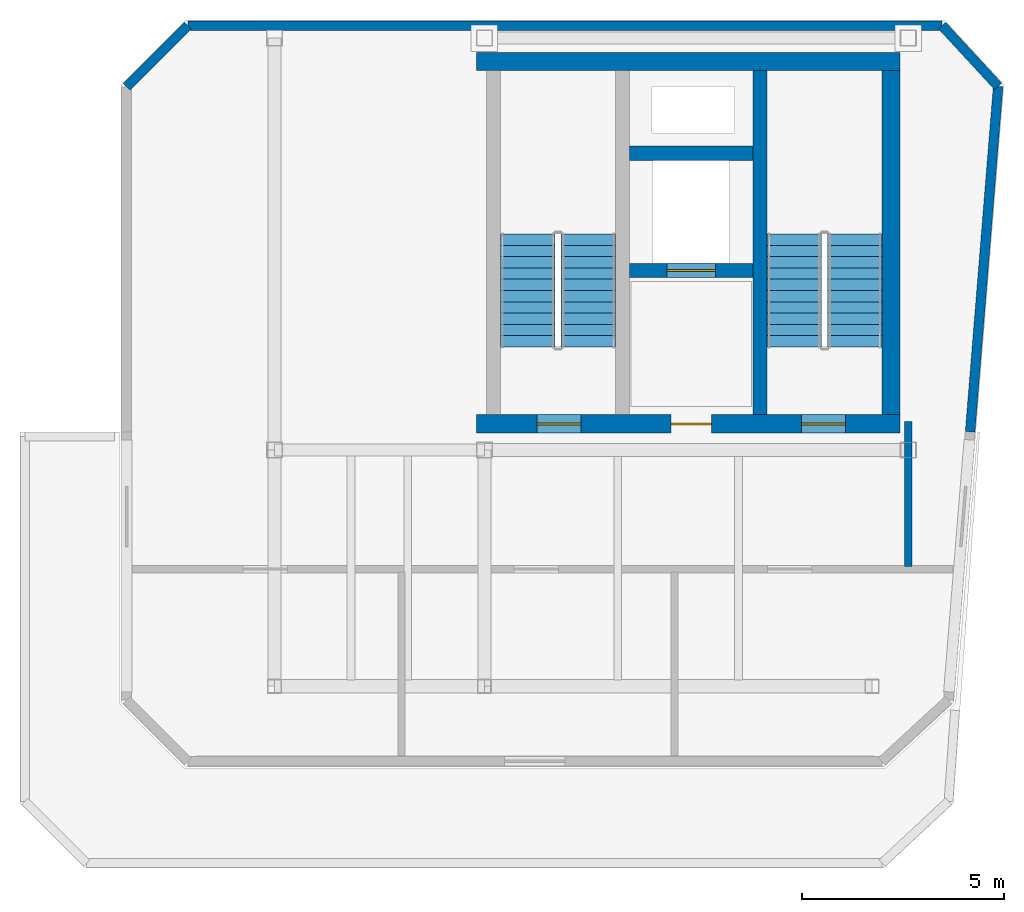
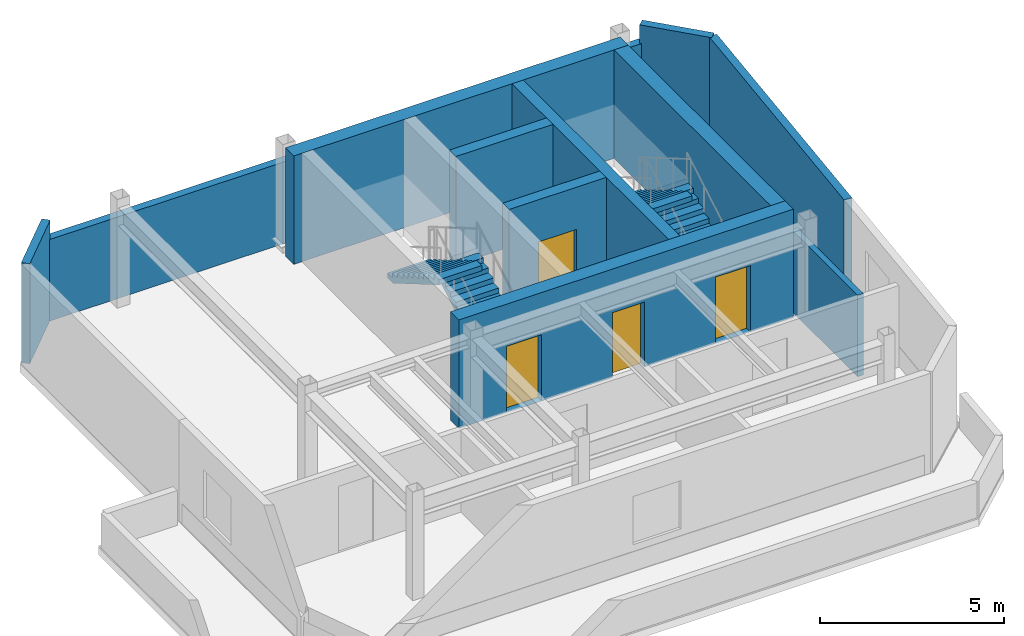
# One storey, part 2 of 3: 11 walls, 4 doors, 4 stair flights, 4 openings, 2 elements without a shape of their own.
"""IFC4 building model written with IfcOpenShell, lengths in metres."""

from ifc_helpers import new_model, si_unit, direction, frame, frame_2d, origin, place, context, subcontext, project, spatial, polyline, rectangle, outline, extrude, material, layer, layer_set, type_object, element, fill, aggregate, save


model = new_model("IFC4")

# Units and contexts
model_context = context("Model", 3, precision=1e-05, world=origin(), true_north=direction((0.0, 1.0)))
body_context = subcontext(model_context, "Body", "Model", "MODEL_VIEW")
ifc_project = project(units=[si_unit("LENGTHUNIT", "METRE"), si_unit("AREAUNIT", "SQUARE_METRE"), si_unit("VOLUMEUNIT", "CUBIC_METRE"), si_unit("PLANEANGLEUNIT", "RADIAN"), si_unit("MASSUNIT", "GRAM", prefix="KILO")], contexts=[model_context])

# Site, building, storey
site_placement = place(None, origin())
site = spatial("IfcSite", under=ifc_project, at=site_placement, CompositionType="ELEMENT")
building_placement = place(site_placement, origin())
building = spatial("IfcBuilding", under=site, at=building_placement, Name="Kravanh Interchange Tower", CompositionType="ELEMENT")
storey_placement = place(building_placement, frame((0.0, 0.0, 322.800048828125)))
storey = spatial("IfcBuildingStorey", under=building, at=storey_placement, Name="L80", CompositionType="ELEMENT", Elevation=322.800048828125)

# Wall
ifc_material_1 = material(Name="Concrete C60/75", Category="concrete")
ifc_layer_1 = layer(ifc_material_1, 0.35009765625)
ifc_layer_set_1 = layer_set([ifc_layer_1], Name="Core Shear Wall Concrete C60/75 350mm")
wall_type_1 = type_object("IfcWallType", Name="Core Shear Wall Concrete C60/75 350mm", PredefinedType="SHEAR", material=ifc_layer_set_1)
wall_1_placement = place(storey_placement, frame((62.824951171875, 38.22509765625, 0.0), z_axis=(0.0, 0.0, 1.0), x_axis=(0.0, 1.0, 0.0)))
element("IfcWall", 1, at=wall_1_placement, inside=storey, type_object=wall_type_1, Name="L80 Stair ST1 West Shear Wall", PredefinedType="SHEAR", context=body_context, shape_type="SweptSolid", body=[
    extrude(rectangle(XDim=8.52490234375, YDim=0.35009765625, at=frame_2d((4.262451171875, 0.0))), origin(), (0.0, 0.0, 1.0), 3.599853515625),
])

# Wall, opening, door
wall_2_placement = place(storey_placement, frame((59.60009765625, 41.800048828125, 0.0), z_axis=(0.0, 0.0, 1.0), x_axis=(1.0, 0.0, 0.0)))
wall_2 = element("IfcWall", 2, at=wall_2_placement, inside=storey, type_object=wall_type_1, Name="L80 Service Lift Shaft South Wall", PredefinedType="SHEAR", context=body_context, shape_type="SweptSolid", body=[
    extrude(rectangle(XDim=3.0498046875, YDim=0.35009765625, at=frame_2d((1.52490234375, 0.0))), origin(), (0.0, 0.0, 1.0), 3.599853515625),
])
opening_1_placement = place(wall_2_placement, frame((0.919921875, 0.0, 0.0)))
opening_1 = element("IfcOpeningElement", 3, at=opening_1_placement, cuts=wall_2, Name="Opening LD02", PredefinedType="OPENING", context=body_context, shape_type="SweptSolid", body=[
    extrude(rectangle(XDim=1.199951171875, YDim=2.199951171875, at=frame_2d((0.60009765625, 1.10009765625))), frame((0.0, 0.18505859375, 0.0), z_axis=(0.0, -1.0, 0.0), x_axis=(1.0, 0.0, 0.0)), (0.0, 0.0, 1.0), 0.3701171875),
])
ifc_material_2 = material(Name="Stainless Steel 316", Category="steel")
door_type_1 = type_object("IfcDoorType", Name="Fire and Service Lift Sliding Landing Door 1200x2200", OperationType="DOUBLE_DOOR_SLIDING", PredefinedType="DOOR", material=ifc_material_2)
door_1_placement = place(opening_1_placement, origin())
door_1 = element("IfcDoor", 4, at=door_1_placement, inside=storey, type_object=door_type_1, Name="L80 Lift LS-01 Landing Door", OperationType="DOUBLE_DOOR_SLIDING", OverallHeight=2.199951171875, OverallWidth=1.199951171875, PredefinedType="DOOR", context=body_context, shape_type="SweptSolid", body=[
    extrude(rectangle(XDim=1.199951171875, YDim=2.199951171875, at=frame_2d((0.60009765625, 1.10009765625))), frame((0.0, 0.02490234375, 0.0), z_axis=(0.0, -1.0, 0.0), x_axis=(1.0, 0.0, 0.0)), (0.0, 0.0, 1.0), 0.050048828125),
])
fill(opening_1, door_1)

# Walls
wall_3_placement = place(storey_placement, frame((59.60009765625, 44.699951171875, 0.0), z_axis=(0.0, 0.0, 1.0), x_axis=(1.0, 0.0, 0.0)))
element("IfcWall", 5, at=wall_3_placement, inside=storey, type_object=wall_type_1, Name="L80 Service Lift Shaft North Wall", PredefinedType="SHEAR", context=body_context, shape_type="SweptSolid", body=[
    extrude(rectangle(XDim=3.0498046875, YDim=0.35009765625, at=frame_2d((1.52490234375, 0.0))), origin(), (0.0, 0.0, 1.0), 3.599853515625),
])
ifc_material_3 = material(Name="Concrete C60/75", Category="concrete")
ifc_layer_2 = layer(ifc_material_3, 0.449951171875)
ifc_layer_set_2 = layer_set([ifc_layer_2], Name="Core Shear Wall Concrete C60/75 450mm")
wall_type_2 = type_object("IfcWallType", Name="Core Shear Wall Concrete C60/75 450mm", PredefinedType="SHEAR", material=ifc_layer_set_2)
wall_4_placement = place(storey_placement, frame((55.800048828125, 46.97509765625, 0.0), z_axis=(0.0, 0.0, 1.0), x_axis=(1.0, 0.0, 0.0)))
element("IfcWall", 6, at=wall_4_placement, inside=storey, type_object=wall_type_2, Name="L80 North Core Shear Wall", PredefinedType="SHEAR", context=body_context, shape_type="SweptSolid", body=[
    extrude(rectangle(XDim=10.5, YDim=0.449951171875, at=frame_2d((5.25, 0.0))), origin(), (0.0, 0.0, 1.0), 3.599853515625),
])

# Wall, openings, doors
wall_5_placement = place(storey_placement, frame((55.800048828125, 38.0, 0.0), z_axis=(0.0, 0.0, 1.0), x_axis=(1.0, 0.0, 0.0)))
wall_5 = element("IfcWall", 7, at=wall_5_placement, inside=storey, type_object=wall_type_2, Name="L80 East Core South Shear Wall", PredefinedType="SHEAR", context=body_context, shape_type="SweptSolid", body=[
    extrude(rectangle(XDim=10.5, YDim=0.449951171875, at=frame_2d((5.25, 0.0))), origin(), (0.0, 0.0, 1.0), 3.599853515625),
])
opening_2_placement = place(wall_5_placement, frame((1.5, 0.0, 0.0)))
opening_2 = element("IfcOpeningElement", 8, at=opening_2_placement, cuts=wall_5, Name="Opening D-STAIR-110", PredefinedType="OPENING", context=body_context, shape_type="SweptSolid", body=[
    extrude(rectangle(XDim=1.10009765625, YDim=2.199951171875, at=frame_2d((0.550048828125, 1.10009765625))), frame((0.0, 0.23486328125, 0.0), z_axis=(0.0, -1.0, 0.0), x_axis=(1.0, 0.0, 0.0)), (0.0, 0.0, 1.0), 0.469970703125),
])
opening_3_placement = place(wall_5_placement, frame((4.820068359375, 0.0, 0.0)))
opening_3 = element("IfcOpeningElement", 9, at=opening_3_placement, cuts=wall_5, Name="Opening D-HOTEL-100", PredefinedType="OPENING", context=body_context, shape_type="SweptSolid", body=[
    extrude(rectangle(XDim=1.0, YDim=2.14990234375, at=frame_2d((0.5, 1.074951171875))), frame((0.0, 0.23486328125, 0.0), z_axis=(0.0, -1.0, 0.0), x_axis=(1.0, 0.0, 0.0)), (0.0, 0.0, 1.0), 0.469970703125),
])
opening_4_placement = place(wall_5_placement, frame((8.050048828125, 0.0, 0.0)))
opening_4 = element("IfcOpeningElement", 10, at=opening_4_placement, cuts=wall_5, Name="Opening D-STAIR-110", PredefinedType="OPENING", context=body_context, shape_type="SweptSolid", body=[
    extrude(rectangle(XDim=1.10009765625, YDim=2.199951171875, at=frame_2d((0.550048828125, 1.10009765625))), frame((0.0, 0.23486328125, 0.0), z_axis=(0.0, -1.0, 0.0), x_axis=(1.0, 0.0, 0.0)), (0.0, 0.0, 1.0), 0.469970703125),
])
ifc_material_4 = material(Name="Structural Steel S355", Category="steel")
door_type_2 = type_object("IfcDoorType", Name="Fire-Rated Exit Stair Door 1100x2200", OperationType="NOTDEFINED", PredefinedType="DOOR", material=ifc_material_4)
door_2_placement = place(opening_2_placement, origin())
door_2 = element("IfcDoor", 11, at=door_2_placement, inside=storey, type_object=door_type_2, Name="L80 Exit Stair ST2 Door", OperationType="SINGLE_SWING_RIGHT", OverallHeight=2.199951171875, OverallWidth=1.10009765625, PredefinedType="DOOR", context=body_context, shape_type="SweptSolid", body=[
    extrude(rectangle(XDim=1.10009765625, YDim=2.199951171875, at=frame_2d((0.550048828125, 1.10009765625))), frame((0.0, 0.02490234375, 0.0), z_axis=(0.0, -1.0, 0.0), x_axis=(1.0, 0.0, 0.0)), (0.0, 0.0, 1.0), 0.050048828125),
])
fill(opening_2, door_2)
door_3_placement = place(opening_4_placement, origin())
door_3 = element("IfcDoor", 12, at=door_3_placement, inside=storey, type_object=door_type_2, Name="L80 Exit Stair ST1 Door", OperationType="SINGLE_SWING_RIGHT", OverallHeight=2.199951171875, OverallWidth=1.10009765625, PredefinedType="DOOR", context=body_context, shape_type="SweptSolid", body=[
    extrude(rectangle(XDim=1.10009765625, YDim=2.199951171875, at=frame_2d((0.550048828125, 1.10009765625))), frame((0.0, 0.02490234375, 0.0), z_axis=(0.0, -1.0, 0.0), x_axis=(1.0, 0.0, 0.0)), (0.0, 0.0, 1.0), 0.050048828125),
])
fill(opening_4, door_3)
ifc_material_5 = material(Name="Fire-Rated Solid Timber Leaf", Category="wood")
door_type_3 = type_object("IfcDoorType", Name="Fire-Rated Suite Entrance Door 1000x2150", OperationType="NOTDEFINED", PredefinedType="DOOR", material=ifc_material_5)
door_4_placement = place(opening_3_placement, origin())
door_4 = element("IfcDoor", 13, at=door_4_placement, inside=storey, type_object=door_type_3, Name="L80 Service Lift Lobby Door", OperationType="SINGLE_SWING_RIGHT", OverallHeight=2.14990234375, OverallWidth=1.0, PredefinedType="DOOR", context=body_context, shape_type="SweptSolid", body=[
    extrude(rectangle(XDim=1.0, YDim=2.14990234375, at=frame_2d((0.5, 1.074951171875))), frame((0.0, 0.02490234375, 0.0), z_axis=(0.0, -1.0, 0.0), x_axis=(1.0, 0.0, 0.0)), (0.0, 0.0, 1.0), 0.050048828125),
])
fill(opening_3, door_4)

# Walls
wall_6_placement = place(storey_placement, frame((66.074951171875, 38.22509765625, 0.0), z_axis=(0.0, 0.0, 1.0), x_axis=(0.0, 1.0, 0.0)))
element("IfcWall", 14, at=wall_6_placement, inside=storey, type_object=wall_type_2, Name="L80 Stair ST1 East Shear Wall", PredefinedType="SHEAR", context=body_context, shape_type="SweptSolid", body=[
    extrude(rectangle(XDim=8.52490234375, YDim=0.449951171875, at=frame_2d((4.262451171875, 0.0))), origin(), (0.0, 0.0, 1.0), 3.599853515625),
])
ifc_material_6 = material(Name="Insulated Concrete C40/50 with Bronze Rainscreen", Category="concrete")
ifc_layer_3 = layer(ifc_material_6, 0.239990234375)
ifc_layer_set_3 = layer_set([ifc_layer_3], Name="Exterior Insulated Concrete C40/50 Crown Enclosure Wall 240mm")
wall_type_3 = type_object("IfcWallType", Name="Exterior Insulated Concrete C40/50 Crown Enclosure Wall 240mm", PredefinedType="STANDARD", material=ifc_layer_set_3)
wall_7_placement = place(storey_placement, frame((47.139892578125, 46.342041015625, 0.0), z_axis=(0.0, 0.0, 1.0), x_axis=(0.707106781187, 0.707106781187, 0.0)))
element("IfcWall", 15, at=wall_7_placement, inside=storey, type_object=wall_type_3, Name="L80 Exterior Enclosure Wall 3", PredefinedType="STANDARD", context=body_context, shape_type="SweptSolid", body=[
    extrude(rectangle(XDim=2.14697265625, YDim=0.239990234375, at=frame_2d((1.073486328125, 0.0))), origin(), (0.0, 0.0, 1.0), 3.320068359375),
])
wall_8_placement = place(storey_placement, frame((48.657958984375, 47.860107421875, 0.0), z_axis=(0.0, 0.0, 1.0), x_axis=(1.0, 0.0, 0.0)))
element("IfcWall", 16, at=wall_8_placement, inside=storey, type_object=wall_type_3, Name="L80 Exterior Enclosure Wall 4", PredefinedType="STANDARD", context=body_context, shape_type="SweptSolid", body=[
    extrude(rectangle(XDim=18.6806640625, YDim=0.239990234375, at=frame_2d((9.34033203125, 0.0))), origin(), (0.0, 0.0, 1.0), 2.708984375),
])
wall_9_placement = place(storey_placement, frame((67.338623046875, 47.860107421875, 0.0), z_axis=(0.0, 0.0, 1.0), x_axis=(0.677962987297, -0.735096039886, 0.0)))
element("IfcWall", 17, at=wall_9_placement, inside=storey, type_object=wall_type_3, Name="L80 Exterior Enclosure Wall 5", PredefinedType="STANDARD", context=body_context, shape_type="SweptSolid", body=[
    extrude(rectangle(XDim=2.046875, YDim=0.239990234375, at=frame_2d((1.0234375, 0.0))), origin(), (0.0, 0.0, 1.0), 3.320068359375),
])
wall_10_placement = place(storey_placement, frame((68.726318359375, 46.35546875, 0.0), z_axis=(0.0, 0.0, 1.0), x_axis=(-0.080834961466, -0.996727499874, 0.0)))
element("IfcWall", 18, at=wall_10_placement, inside=storey, type_object=wall_type_3, Name="L80 Exterior Enclosure Wall 6", PredefinedType="STANDARD", context=body_context, shape_type="SweptSolid", body=[
    extrude(rectangle(XDim=8.58349609375, YDim=0.239990234375, at=frame_2d((4.291748046875, 0.0))), origin(), (0.0, 0.0, 1.0), 3.320068359375),
])
ifc_material_7 = material(Name="Autoclaved Aerated Concrete C30/37 Blockwork", Category="masonry")
ifc_layer_4 = layer(ifc_material_7, 0.179931640625)
ifc_layer_set_4 = layer_set([ifc_layer_4], Name="Fire-Rated Lobby and Corridor Wall Concrete C30/37 180mm")
wall_type_4 = type_object("IfcWallType", Name="Fire-Rated Lobby and Corridor Wall Concrete C30/37 180mm", PredefinedType="STANDARD", material=ifc_layer_set_4)
wall_11_placement = place(storey_placement, frame((66.5, 34.468017578125, 0.0), z_axis=(0.0, 0.0, 1.0), x_axis=(0.0, 1.0, 0.0)))
element("IfcWall", 19, at=wall_11_placement, inside=storey, type_object=wall_type_4, Name="L80 Interior Partition 2", PredefinedType="STANDARD", context=body_context, shape_type="SweptSolid", body=[
    extrude(rectangle(XDim=3.58203125, YDim=0.179931640625, at=frame_2d((1.791015625, 0.0))), origin(), (0.0, 0.0, 1.0), 2.708984375),
])

# Stair, stair flights
ifc_material_8 = material(Name="Concrete C50/60", Category="concrete")
stair_type = type_object("IfcStairType", Name="Core Fire Exit Dogleg Stair Concrete C50/60", PredefinedType="HALF_TURN_STAIR", material=ifc_material_8)
stair_1_placement = place(storey_placement, origin())
stair_1 = element("IfcStair", 20, at=stair_1_placement, inside=storey, type_object=stair_type, Name="L80 Exit Stair ST1", PredefinedType="HALF_TURN_STAIR")
ifc_material_9 = material(Name="Precast Concrete C50/60", Category="concrete")
ifc_layer_5 = layer(ifc_material_9, 0.199951171875)
ifc_layer_set_5 = layer_set([ifc_layer_5], Name="Precast Concrete C50/60 Stair Flight 1350mm")
stair_flight_type = type_object("IfcStairFlightType", Name="Precast Concrete C50/60 Stair Flight 1350mm", PredefinedType="STRAIGHT", material=ifc_layer_set_5)
stair_flight_1_placement = place(storey_placement, frame((65.175048828125, 39.89990234375, 0.0), z_axis=(0.0, 0.0, 1.0), x_axis=(0.0, 1.0, 0.0)))
stair_flight_1 = element("IfcStairFlight", 21, at=stair_flight_1_placement, type_object=stair_flight_type, Name="ST1 flight 1", NumberOfRisers=11, NumberOfTreads=10, PredefinedType="STRAIGHT", RiserHeight=0.163636364, TreadLength=0.28, context=body_context, shape_type="SweptSolid", body=[
    extrude(outline(polyline([(0.0, 0.0), (0.0, 0.16357421875), (0.280029296875, 0.16357421875), (0.280029296875, 0.327392578125), (0.56005859375, 0.327392578125), (0.56005859375, 0.490966796875), (0.840087890625, 0.490966796875), (0.840087890625, 0.654541015625), (1.1201171875, 0.654541015625), (1.1201171875, 0.818115234375), (1.39990234375, 0.818115234375), (1.39990234375, 0.98193359375), (1.679931640625, 0.98193359375), (1.679931640625, 1.1455078125), (1.9599609375, 1.1455078125), (1.9599609375, 1.30908203125), (2.239990234375, 1.30908203125), (2.239990234375, 1.47265625), (2.52001953125, 1.47265625), (2.52001953125, 1.636474609375), (2.800048828125, 1.636474609375), (2.800048828125, 1.800048828125), (2.800048828125, 1.462646484375), (0.297119140625, 0.0), (0.0, 0.0)])), frame((0.0, 0.675048828125, 0.0), z_axis=(0.0, -1.0, 0.0), x_axis=(1.0, 0.0, 0.0)), (0.0, 0.0, 1.0), 1.35009765625),
])
stair_flight_2_placement = place(storey_placement, frame((63.675048828125, 42.699951171875, 1.800048828125), z_axis=(0.0, 0.0, 1.0), x_axis=(0.0, -1.0, 0.0)))
stair_flight_2 = element("IfcStairFlight", 22, at=stair_flight_2_placement, type_object=stair_flight_type, Name="ST1 flight 2", NumberOfRisers=11, NumberOfTreads=10, PredefinedType="STRAIGHT", RiserHeight=0.163636364, TreadLength=0.28, context=body_context, shape_type="SweptSolid", body=[
    extrude(outline(polyline([(0.0, 0.0), (0.0, 0.16357421875), (0.280029296875, 0.16357421875), (0.280029296875, 0.327392578125), (0.56005859375, 0.327392578125), (0.56005859375, 0.490966796875), (0.840087890625, 0.490966796875), (0.840087890625, 0.654541015625), (1.1201171875, 0.654541015625), (1.1201171875, 0.818115234375), (1.39990234375, 0.818115234375), (1.39990234375, 0.98193359375), (1.679931640625, 0.98193359375), (1.679931640625, 1.1455078125), (1.9599609375, 1.1455078125), (1.9599609375, 1.30908203125), (2.239990234375, 1.30908203125), (2.239990234375, 1.47265625), (2.52001953125, 1.47265625), (2.52001953125, 1.636474609375), (2.800048828125, 1.636474609375), (2.800048828125, 1.800048828125), (2.800048828125, 1.462646484375), (0.297119140625, 0.0), (0.0, 0.0)])), frame((0.0, 0.675048828125, 0.0), z_axis=(0.0, -1.0, 0.0), x_axis=(1.0, 0.0, 0.0)), (0.0, 0.0, 1.0), 1.35009765625),
])
aggregate(stair_1, [stair_flight_1, stair_flight_2])

stair_2_placement = place(storey_placement, origin())
stair_2 = element("IfcStair", 23, at=stair_2_placement, inside=storey, type_object=stair_type, Name="L80 Exit Stair ST2", PredefinedType="HALF_TURN_STAIR")
stair_flight_3_placement = place(storey_placement, frame((58.574951171875, 39.89990234375, 0.0), z_axis=(0.0, 0.0, 1.0), x_axis=(0.0, 1.0, 0.0)))
stair_flight_3 = element("IfcStairFlight", 24, at=stair_flight_3_placement, type_object=stair_flight_type, Name="ST2 flight 1", NumberOfRisers=11, NumberOfTreads=10, PredefinedType="STRAIGHT", RiserHeight=0.163636364, TreadLength=0.28, context=body_context, shape_type="SweptSolid", body=[
    extrude(outline(polyline([(0.0, 0.0), (0.0, 0.16357421875), (0.280029296875, 0.16357421875), (0.280029296875, 0.327392578125), (0.56005859375, 0.327392578125), (0.56005859375, 0.490966796875), (0.840087890625, 0.490966796875), (0.840087890625, 0.654541015625), (1.1201171875, 0.654541015625), (1.1201171875, 0.818115234375), (1.39990234375, 0.818115234375), (1.39990234375, 0.98193359375), (1.679931640625, 0.98193359375), (1.679931640625, 1.1455078125), (1.9599609375, 1.1455078125), (1.9599609375, 1.30908203125), (2.239990234375, 1.30908203125), (2.239990234375, 1.47265625), (2.52001953125, 1.47265625), (2.52001953125, 1.636474609375), (2.800048828125, 1.636474609375), (2.800048828125, 1.800048828125), (2.800048828125, 1.462646484375), (0.297119140625, 0.0), (0.0, 0.0)])), frame((0.0, 0.675048828125, 0.0), z_axis=(0.0, -1.0, 0.0), x_axis=(1.0, 0.0, 0.0)), (0.0, 0.0, 1.0), 1.35009765625),
])
stair_flight_4_placement = place(storey_placement, frame((57.074951171875, 42.699951171875, 1.800048828125), z_axis=(0.0, 0.0, 1.0), x_axis=(0.0, -1.0, 0.0)))
stair_flight_4 = element("IfcStairFlight", 25, at=stair_flight_4_placement, type_object=stair_flight_type, Name="ST2 flight 2", NumberOfRisers=11, NumberOfTreads=10, PredefinedType="STRAIGHT", RiserHeight=0.163636364, TreadLength=0.28, context=body_context, shape_type="SweptSolid", body=[
    extrude(outline(polyline([(0.0, 0.0), (0.0, 0.16357421875), (0.280029296875, 0.16357421875), (0.280029296875, 0.327392578125), (0.56005859375, 0.327392578125), (0.56005859375, 0.490966796875), (0.840087890625, 0.490966796875), (0.840087890625, 0.654541015625), (1.1201171875, 0.654541015625), (1.1201171875, 0.818115234375), (1.39990234375, 0.818115234375), (1.39990234375, 0.98193359375), (1.679931640625, 0.98193359375), (1.679931640625, 1.1455078125), (1.9599609375, 1.1455078125), (1.9599609375, 1.30908203125), (2.239990234375, 1.30908203125), (2.239990234375, 1.47265625), (2.52001953125, 1.47265625), (2.52001953125, 1.636474609375), (2.800048828125, 1.636474609375), (2.800048828125, 1.800048828125), (2.800048828125, 1.462646484375), (0.297119140625, 0.0), (0.0, 0.0)])), frame((0.0, 0.675048828125, 0.0), z_axis=(0.0, -1.0, 0.0), x_axis=(1.0, 0.0, 0.0)), (0.0, 0.0, 1.0), 1.35009765625),
])
aggregate(stair_2, [stair_flight_3, stair_flight_4])

save(model, "model.ifc")
